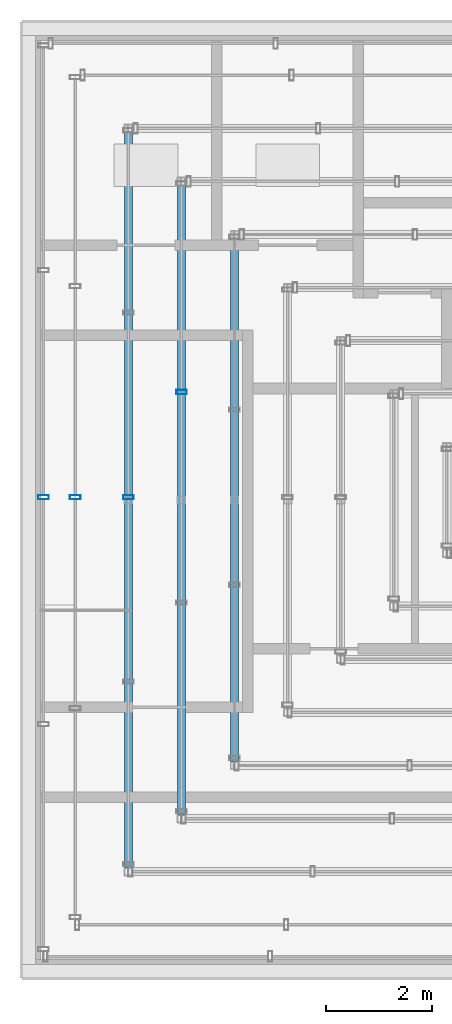
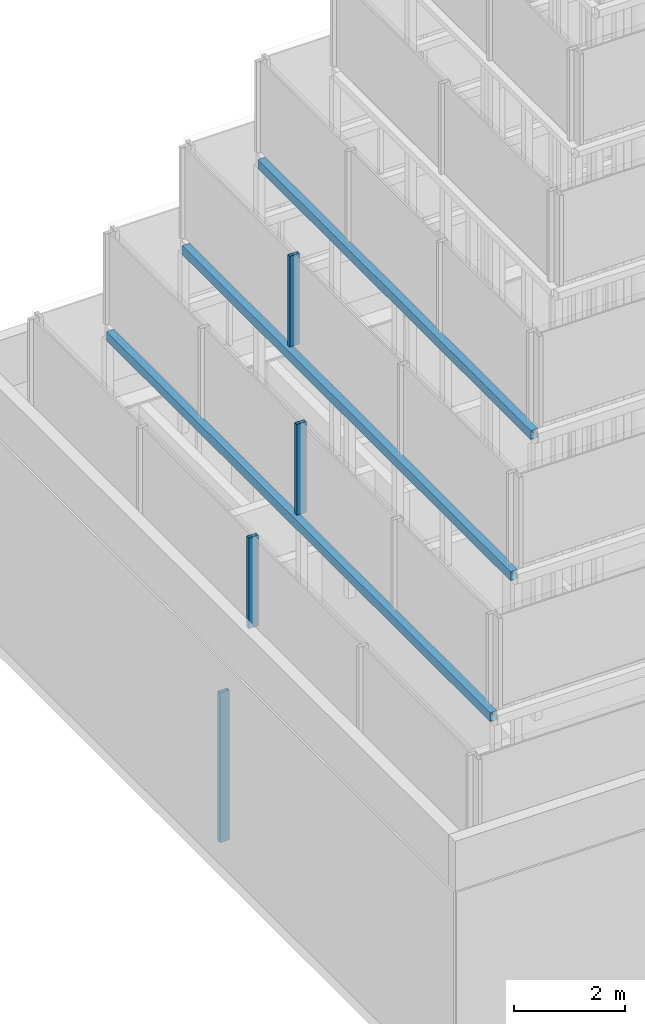
# One storey, part 8 of 24: 4 members, 3 beams, 4 elements without a shape of their own.
"""IFC4 building model written with IfcOpenShell, lengths in metres."""

from ifc_helpers import new_model, si_unit, direction, frame, origin, origin_2d, place, context, subcontext, project, spatial, hollow_rectangle, extrude, material, material_profile, profile_set, type_object, element, aggregate, save


model = new_model("IFC4")

# Units and contexts
model_context = context("Model", 3, precision=1e-05, world=origin(), true_north=direction((0.0, 1.0)))
body_context = subcontext(model_context, "Body", "Model", "MODEL_VIEW")
ifc_project = project(units=[si_unit("LENGTHUNIT", "METRE"), si_unit("AREAUNIT", "SQUARE_METRE"), si_unit("VOLUMEUNIT", "CUBIC_METRE"), si_unit("PLANEANGLEUNIT", "RADIAN"), si_unit("MASSUNIT", "GRAM", prefix="KILO")], contexts=[model_context])

# Site, building, storey
site_placement = place(None, origin())
site = spatial("IfcSite", under=ifc_project, at=site_placement, CompositionType="ELEMENT")
building_placement = place(site_placement, origin())
building = spatial("IfcBuilding", under=site, at=building_placement, Name="Altepetl Exchange Towers", CompositionType="ELEMENT")
storey_placement = place(building_placement, frame((0.0, 0.0, 279.10009765625)))
storey = spatial("IfcBuildingStorey", under=building, at=storey_placement, Name="L70 Crown plant", CompositionType="ELEMENT", Elevation=279.10009765625)

# Beams
ifc_material_1 = material(Name="Steel S355", Category="steel")
ifc_material_profile_1 = material_profile(ifc_material_1, hollow_rectangle(XDim=0.14990234375, YDim=0.199951171875, WallThickness=0.010009765625, at=origin_2d()), Name="RHS 200x150x10")
ifc_profile_set_1 = profile_set([ifc_material_profile_1], Name="Steel S355")
beam_type = type_object("IfcBeamType", Name="Crown ring beam hollow section 150x200x10", PredefinedType="BEAM", material=ifc_profile_set_1)
beam_1_placement = place(storey_placement, frame((42.5, 56.425048828125, 6.39990234375), z_axis=(0.0, -1.0, 0.0), x_axis=(1.0, 0.0, 0.0)))
element("IfcBeam", 1, at=beam_1_placement, inside=storey, type_object=beam_type, Name="Crown ring beam", PredefinedType="BEAM", context=body_context, shape_type="SweptSolid", body=[
    extrude(hollow_rectangle(XDim=0.14990234375, YDim=0.199951171875, WallThickness=0.010009765625, at=origin_2d()), origin(), (0.0, 0.0, 1.0), 13.85009765625),
])
beam_2_placement = place(storey_placement, frame((43.5, 55.425048828125, 8.5498046875), z_axis=(0.0, -1.0, 0.0), x_axis=(1.0, 0.0, 0.0)))
element("IfcBeam", 2, at=beam_2_placement, inside=storey, type_object=beam_type, Name="Crown ring beam", PredefinedType="BEAM", context=body_context, shape_type="SweptSolid", body=[
    extrude(hollow_rectangle(XDim=0.14990234375, YDim=0.199951171875, WallThickness=0.010009765625, at=origin_2d()), origin(), (0.0, 0.0, 1.0), 11.85009765625),
])
beam_3_placement = place(storey_placement, frame((44.5, 54.425048828125, 10.699951171875), z_axis=(0.0, -1.0, 0.0), x_axis=(1.0, 0.0, 0.0)))
element("IfcBeam", 3, at=beam_3_placement, inside=storey, type_object=beam_type, Name="Crown ring beam", PredefinedType="BEAM", context=body_context, shape_type="SweptSolid", body=[
    extrude(hollow_rectangle(XDim=0.14990234375, YDim=0.199951171875, WallThickness=0.010009765625, at=origin_2d()), origin(), (0.0, 0.0, 1.0), 9.85009765625),
])

# Curtain wall, member
ifc_material_2 = material(Name="Aluminium 6063-T6 glazing", Category="aluminium")
curtain_wall_type = type_object("IfcCurtainWallType", Name="Crown glazing system", PredefinedType="NOTDEFINED", material=ifc_material_2)
curtain_wall_1_placement = place(storey_placement, origin())
curtain_wall_1 = element("IfcCurtainWall", 4, at=curtain_wall_1_placement, inside=storey, type_object=curtain_wall_type, Name="CW7 run", PredefinedType="NOTDEFINED")
ifc_material_3 = material(Name="Aluminium 6063-T6", Category="aluminium")
ifc_material_profile_2 = material_profile(ifc_material_3, hollow_rectangle(XDim=0.080078125, YDim=0.199951171875, WallThickness=0.0029296875, at=origin_2d()), Name="Mullion 80x200 hollow aluminium")
ifc_profile_set_2 = profile_set([ifc_material_profile_2], Name="Aluminium 6063-T6")
member_type = type_object("IfcMemberType", Name="Mullion 80x200 hollow aluminium", PredefinedType="MULLION", material=ifc_profile_set_2)
member_1_placement = place(storey_placement, frame((40.89990234375, 49.550048828125, 0.0), z_axis=(0.0, 0.0, 1.0), x_axis=(0.0, -1.0, 0.0)))
member_1 = element("IfcMember", 5, at=member_1_placement, type_object=member_type, Name="MU5 mullion", PredefinedType="MULLION", context=body_context, shape_type="SweptSolid", body=[
    extrude(hollow_rectangle(XDim=0.080078125, YDim=0.199951171875, WallThickness=0.0029296875, at=origin_2d()), origin(), (0.0, 0.0, 1.0), 3.2998046875),
])
aggregate(curtain_wall_1, [member_1])

curtain_wall_2_placement = place(storey_placement, origin())
curtain_wall_2 = element("IfcCurtainWall", 6, at=curtain_wall_2_placement, inside=storey, type_object=curtain_wall_type, Name="CW7 run", PredefinedType="NOTDEFINED")
member_2_placement = place(storey_placement, frame((41.5, 49.550048828125, 4.5), z_axis=(0.0, 0.0, 1.0), x_axis=(0.0, -1.0, 0.0)))
member_2 = element("IfcMember", 7, at=member_2_placement, type_object=member_type, Name="MU5 mullion", PredefinedType="MULLION", context=body_context, shape_type="SweptSolid", body=[
    extrude(hollow_rectangle(XDim=0.080078125, YDim=0.199951171875, WallThickness=0.0029296875, at=origin_2d()), origin(), (0.0, 0.0, 1.0), 2.0),
])
aggregate(curtain_wall_2, [member_2])

curtain_wall_3_placement = place(storey_placement, origin())
curtain_wall_3 = element("IfcCurtainWall", 8, at=curtain_wall_3_placement, inside=storey, type_object=curtain_wall_type, Name="CW7 run", PredefinedType="NOTDEFINED")
member_3_placement = place(storey_placement, frame((42.5, 49.550048828125, 6.64990234375), z_axis=(0.0, 0.0, 1.0), x_axis=(0.0, -1.0, 0.0)))
member_3 = element("IfcMember", 9, at=member_3_placement, type_object=member_type, Name="MU5 mullion", PredefinedType="MULLION", context=body_context, shape_type="SweptSolid", body=[
    extrude(hollow_rectangle(XDim=0.080078125, YDim=0.199951171875, WallThickness=0.0029296875, at=origin_2d()), origin(), (0.0, 0.0, 1.0), 2.0),
])
aggregate(curtain_wall_3, [member_3])

curtain_wall_4_placement = place(storey_placement, origin())
curtain_wall_4 = element("IfcCurtainWall", 10, at=curtain_wall_4_placement, inside=storey, type_object=curtain_wall_type, Name="CW7 run", PredefinedType="NOTDEFINED")
member_4_placement = place(storey_placement, frame((43.5, 51.533447265625, 8.7998046875), z_axis=(0.0, 0.0, 1.0), x_axis=(0.0, -1.0, 0.0)))
member_4 = element("IfcMember", 11, at=member_4_placement, type_object=member_type, Name="MU5 mullion", PredefinedType="MULLION", context=body_context, shape_type="SweptSolid", body=[
    extrude(hollow_rectangle(XDim=0.080078125, YDim=0.199951171875, WallThickness=0.0029296875, at=origin_2d()), origin(), (0.0, 0.0, 1.0), 2.0),
])
aggregate(curtain_wall_4, [member_4])

save(model, "model.ifc")
